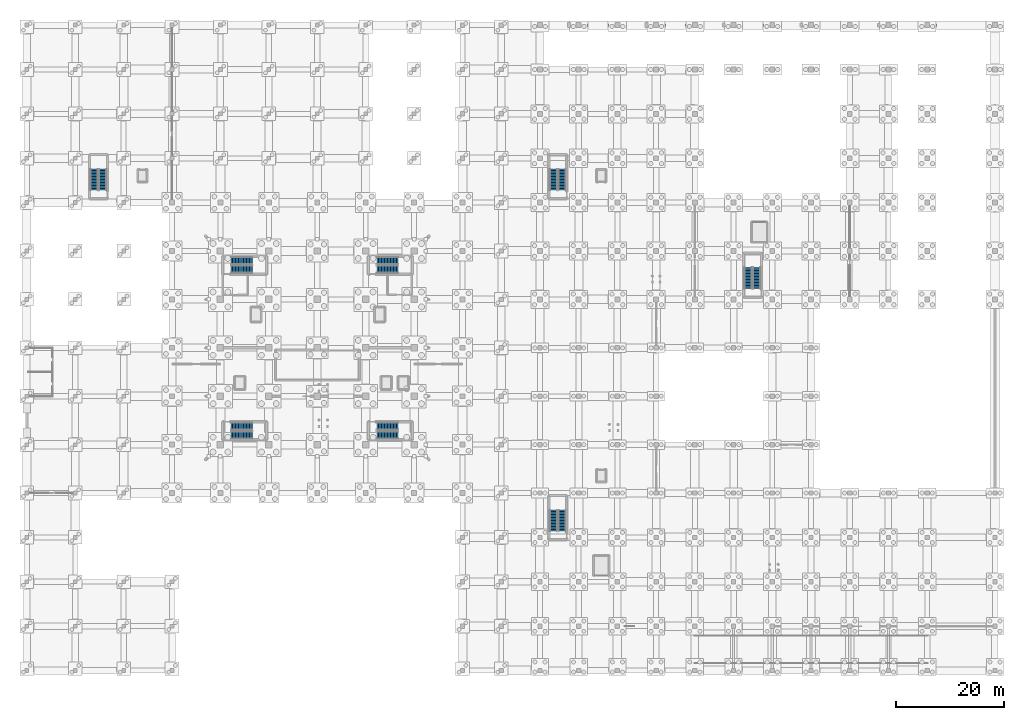
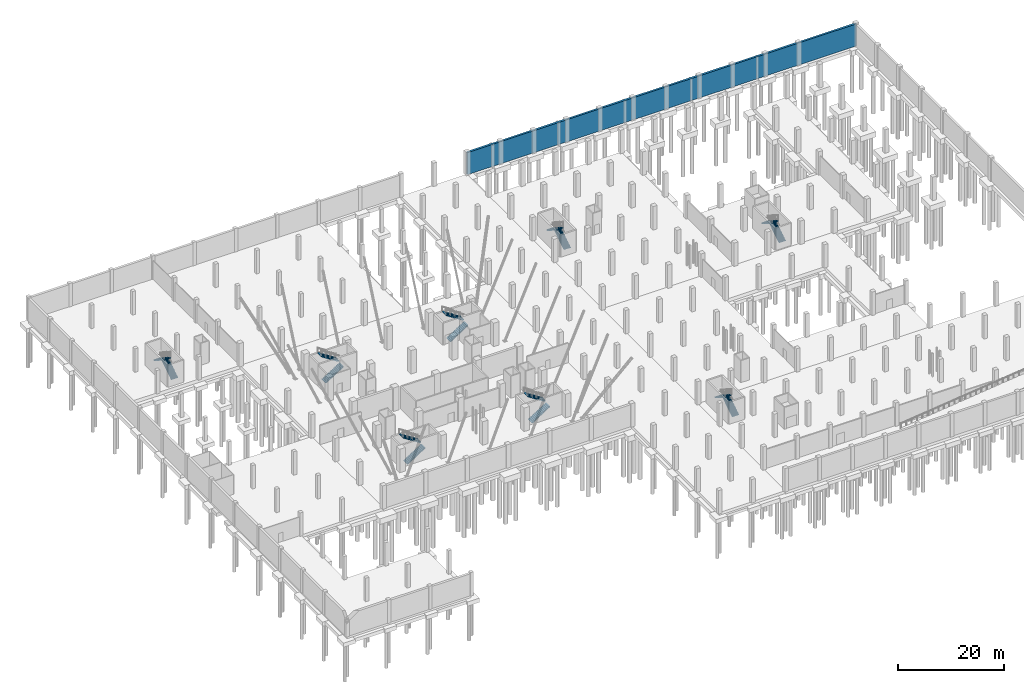
# One storey, part 33 of 42: 16 stair flights, 1 wall, 8 elements without a shape of their own.
"""IFC4 building model written with IfcOpenShell, lengths in metres."""

from ifc_helpers import new_model, si_unit, direction, frame, frame_2d, origin, place, context, subcontext, project, spatial, polyline, rectangle, outline, extrude, material, layer, layer_set, type_object, element, aggregate, save


model = new_model("IFC4")

# Units and contexts
model_context = context("Model", 3, precision=1e-05, world=origin(), true_north=direction((0.0, 1.0)))
body_context = subcontext(model_context, "Body", "Model", "MODEL_VIEW")
ifc_project = project(units=[si_unit("LENGTHUNIT", "METRE"), si_unit("AREAUNIT", "SQUARE_METRE"), si_unit("VOLUMEUNIT", "CUBIC_METRE"), si_unit("PLANEANGLEUNIT", "RADIAN"), si_unit("MASSUNIT", "GRAM", prefix="KILO")], contexts=[model_context])

# Site, building, storey
site_placement = place(None, origin())
site = spatial("IfcSite", under=ifc_project, at=site_placement, CompositionType="ELEMENT")
building_placement = place(site_placement, origin())
building = spatial("IfcBuilding", under=site, at=building_placement, Name="Sundgate Opera House", CompositionType="ELEMENT")
storey_placement = place(building_placement, frame((0.0, 0.0, -5.39990234375)))
storey = spatial("IfcBuildingStorey", under=building, at=storey_placement, Name="B01", CompositionType="ELEMENT", Elevation=-5.39990234375)

# Wall
ifc_material_1 = material(Name="Concrete C35/45", Category="concrete")
ifc_layer = layer(ifc_material_1, 0.449951171875)
ifc_layer_set = layer_set([ifc_layer], Name="Concrete C35/45")
wall_type = type_object("IfcWallType", Name="WL-RET-450", PredefinedType="USERDEFINED", material=ifc_layer_set)
wall_placement = place(storey_placement, frame((95.39990234375, 120.0, 0.0), z_axis=(0.0, 0.0, 1.0), x_axis=(1.0, 0.0, 0.0)))
element("IfcWall", 1, at=wall_placement, inside=storey, type_object=wall_type, Name="B01 Perimeter Retaining Wall W0004", ObjectType="RETAINING WALL", PredefinedType="USERDEFINED", context=body_context, shape_type="SweptSolid", body=[
    extrude(rectangle(XDim=84.60009765625, YDim=0.449951171875, at=frame_2d((42.300048828125, 0.0))), origin(), (0.0, 0.0, 1.0), 5.079833984375),
])

# Stair, stair flights
ifc_material_2 = material(Name="Concrete C35/45", Category="concrete")
stair_type = type_object("IfcStairType", Name="ST-HT-30R-1450", PredefinedType="HALF_TURN_STAIR", material=ifc_material_2)
stair_1_placement = place(storey_placement, origin())
stair_1 = element("IfcStair", 2, at=stair_1_placement, inside=storey, type_object=stair_type, Name="B01 Escape Stair ST-01", PredefinedType="HALF_TURN_STAIR")
ifc_material_3 = material(Name="Concrete C35/45", Category="concrete")
stair_flight_type = type_object("IfcStairFlightType", Name="SF-STR-15R-1450", PredefinedType="STRAIGHT", material=ifc_material_3)
stair_flight_1_placement = place(storey_placement, frame((38.0, 43.77490234375, 0.0), z_axis=(0.0, 0.0, 1.0), x_axis=(1.0, 0.0, 0.0)))
stair_flight_1 = element("IfcStairFlight", 3, at=stair_flight_1_placement, type_object=stair_flight_type, Name="ST01B01 Flight 1", NumberOfRisers=15, NumberOfTreads=14, PredefinedType="STRAIGHT", RiserHeight=0.18, TreadLength=0.28, context=body_context, shape_type="SweptSolid", body=[
    extrude(outline(polyline([(0.0, 0.0), (0.0, 0.179931640625), (0.280029296875, 0.179931640625), (0.280029296875, 0.360107421875), (0.56005859375, 0.360107421875), (0.56005859375, 0.5400390625), (0.840087890625, 0.5400390625), (0.840087890625, 0.719970703125), (1.1201171875, 0.719970703125), (1.1201171875, 0.89990234375), (1.39990234375, 0.89990234375), (1.39990234375, 1.080078125), (1.679931640625, 1.080078125), (1.679931640625, 1.260009765625), (1.9599609375, 1.260009765625), (1.9599609375, 1.43994140625), (2.239990234375, 1.43994140625), (2.239990234375, 1.6201171875), (2.52001953125, 1.6201171875), (2.52001953125, 1.800048828125), (2.800048828125, 1.800048828125), (2.800048828125, 1.97998046875), (3.080078125, 1.97998046875), (3.080078125, 2.159912109375), (3.360107421875, 2.159912109375), (3.360107421875, 2.340087890625), (3.639892578125, 2.340087890625), (3.639892578125, 2.52001953125), (3.919921875, 2.52001953125), (3.919921875, 2.699951171875), (3.919921875, 2.341796875), (0.277099609375, 0.0), (0.0, 0.0)])), frame((0.0, 0.72509765625, 0.0), z_axis=(0.0, -1.0, 0.0), x_axis=(1.0, 0.0, 0.0)), (0.0, 0.0, 1.0), 1.449951171875),
])
stair_flight_2_placement = place(storey_placement, frame((41.919921875, 45.375, 2.699951171875), z_axis=(0.0, 0.0, 1.0), x_axis=(-1.0, 0.0, 0.0)))
stair_flight_2 = element("IfcStairFlight", 4, at=stair_flight_2_placement, type_object=stair_flight_type, Name="ST01B01 Flight 2", NumberOfRisers=15, NumberOfTreads=14, PredefinedType="STRAIGHT", RiserHeight=0.18, TreadLength=0.28, context=body_context, shape_type="SweptSolid", body=[
    extrude(outline(polyline([(0.0, 0.0), (0.0, 0.179931640625), (0.280029296875, 0.179931640625), (0.280029296875, 0.360107421875), (0.56005859375, 0.360107421875), (0.56005859375, 0.5400390625), (0.840087890625, 0.5400390625), (0.840087890625, 0.719970703125), (1.1201171875, 0.719970703125), (1.1201171875, 0.89990234375), (1.39990234375, 0.89990234375), (1.39990234375, 1.080078125), (1.679931640625, 1.080078125), (1.679931640625, 1.260009765625), (1.9599609375, 1.260009765625), (1.9599609375, 1.43994140625), (2.239990234375, 1.43994140625), (2.239990234375, 1.6201171875), (2.52001953125, 1.6201171875), (2.52001953125, 1.800048828125), (2.800048828125, 1.800048828125), (2.800048828125, 1.97998046875), (3.080078125, 1.97998046875), (3.080078125, 2.159912109375), (3.360107421875, 2.159912109375), (3.360107421875, 2.340087890625), (3.639892578125, 2.340087890625), (3.639892578125, 2.52001953125), (3.919921875, 2.52001953125), (3.919921875, 2.699951171875), (3.919921875, 2.341796875), (0.277099609375, 0.0), (0.0, 0.0)])), frame((0.0, 0.72509765625, 0.0), z_axis=(0.0, -1.0, 0.0), x_axis=(1.0, 0.0, 0.0)), (0.0, 0.0, 1.0), 1.449951171875),
])
aggregate(stair_1, [stair_flight_1, stair_flight_2])

stair_2_placement = place(storey_placement, origin())
stair_2 = element("IfcStair", 5, at=stair_2_placement, inside=storey, type_object=stair_type, Name="B01 Escape Stair ST-02", PredefinedType="HALF_TURN_STAIR")
stair_flight_3_placement = place(storey_placement, frame((38.0, 74.574951171875, 0.0), z_axis=(0.0, 0.0, 1.0), x_axis=(1.0, 0.0, 0.0)))
stair_flight_3 = element("IfcStairFlight", 6, at=stair_flight_3_placement, type_object=stair_flight_type, Name="ST02B01 Flight 1", NumberOfRisers=15, NumberOfTreads=14, PredefinedType="STRAIGHT", RiserHeight=0.18, TreadLength=0.28, context=body_context, shape_type="SweptSolid", body=[
    extrude(outline(polyline([(0.0, 0.0), (0.0, 0.179931640625), (0.280029296875, 0.179931640625), (0.280029296875, 0.360107421875), (0.56005859375, 0.360107421875), (0.56005859375, 0.5400390625), (0.840087890625, 0.5400390625), (0.840087890625, 0.719970703125), (1.1201171875, 0.719970703125), (1.1201171875, 0.89990234375), (1.39990234375, 0.89990234375), (1.39990234375, 1.080078125), (1.679931640625, 1.080078125), (1.679931640625, 1.260009765625), (1.9599609375, 1.260009765625), (1.9599609375, 1.43994140625), (2.239990234375, 1.43994140625), (2.239990234375, 1.6201171875), (2.52001953125, 1.6201171875), (2.52001953125, 1.800048828125), (2.800048828125, 1.800048828125), (2.800048828125, 1.97998046875), (3.080078125, 1.97998046875), (3.080078125, 2.159912109375), (3.360107421875, 2.159912109375), (3.360107421875, 2.340087890625), (3.639892578125, 2.340087890625), (3.639892578125, 2.52001953125), (3.919921875, 2.52001953125), (3.919921875, 2.699951171875), (3.919921875, 2.341796875), (0.277099609375, 0.0), (0.0, 0.0)])), frame((0.0, 0.72509765625, 0.0), z_axis=(0.0, -1.0, 0.0), x_axis=(1.0, 0.0, 0.0)), (0.0, 0.0, 1.0), 1.449951171875),
])
stair_flight_4_placement = place(storey_placement, frame((41.919921875, 76.175048828125, 2.699951171875), z_axis=(0.0, 0.0, 1.0), x_axis=(-1.0, 0.0, 0.0)))
stair_flight_4 = element("IfcStairFlight", 7, at=stair_flight_4_placement, type_object=stair_flight_type, Name="ST02B01 Flight 2", NumberOfRisers=15, NumberOfTreads=14, PredefinedType="STRAIGHT", RiserHeight=0.18, TreadLength=0.28, context=body_context, shape_type="SweptSolid", body=[
    extrude(outline(polyline([(0.0, 0.0), (0.0, 0.179931640625), (0.280029296875, 0.179931640625), (0.280029296875, 0.360107421875), (0.56005859375, 0.360107421875), (0.56005859375, 0.5400390625), (0.840087890625, 0.5400390625), (0.840087890625, 0.719970703125), (1.1201171875, 0.719970703125), (1.1201171875, 0.89990234375), (1.39990234375, 0.89990234375), (1.39990234375, 1.080078125), (1.679931640625, 1.080078125), (1.679931640625, 1.260009765625), (1.9599609375, 1.260009765625), (1.9599609375, 1.43994140625), (2.239990234375, 1.43994140625), (2.239990234375, 1.6201171875), (2.52001953125, 1.6201171875), (2.52001953125, 1.800048828125), (2.800048828125, 1.800048828125), (2.800048828125, 1.97998046875), (3.080078125, 1.97998046875), (3.080078125, 2.159912109375), (3.360107421875, 2.159912109375), (3.360107421875, 2.340087890625), (3.639892578125, 2.340087890625), (3.639892578125, 2.52001953125), (3.919921875, 2.52001953125), (3.919921875, 2.699951171875), (3.919921875, 2.341796875), (0.277099609375, 0.0), (0.0, 0.0)])), frame((0.0, 0.72509765625, 0.0), z_axis=(0.0, -1.0, 0.0), x_axis=(1.0, 0.0, 0.0)), (0.0, 0.0, 1.0), 1.449951171875),
])
aggregate(stair_2, [stair_flight_3, stair_flight_4])

stair_3_placement = place(storey_placement, origin())
stair_3 = element("IfcStair", 8, at=stair_3_placement, inside=storey, type_object=stair_type, Name="B01 Escape Stair ST-03", PredefinedType="HALF_TURN_STAIR")
stair_flight_5_placement = place(storey_placement, frame((65.10009765625, 43.77490234375, 0.0), z_axis=(0.0, 0.0, 1.0), x_axis=(1.0, 0.0, 0.0)))
stair_flight_5 = element("IfcStairFlight", 9, at=stair_flight_5_placement, type_object=stair_flight_type, Name="ST03B01 Flight 1", NumberOfRisers=15, NumberOfTreads=14, PredefinedType="STRAIGHT", RiserHeight=0.18, TreadLength=0.28, context=body_context, shape_type="SweptSolid", body=[
    extrude(outline(polyline([(0.0, 0.0), (0.0, 0.179931640625), (0.280029296875, 0.179931640625), (0.280029296875, 0.360107421875), (0.56005859375, 0.360107421875), (0.56005859375, 0.5400390625), (0.840087890625, 0.5400390625), (0.840087890625, 0.719970703125), (1.1201171875, 0.719970703125), (1.1201171875, 0.89990234375), (1.39990234375, 0.89990234375), (1.39990234375, 1.080078125), (1.679931640625, 1.080078125), (1.679931640625, 1.260009765625), (1.9599609375, 1.260009765625), (1.9599609375, 1.43994140625), (2.239990234375, 1.43994140625), (2.239990234375, 1.6201171875), (2.52001953125, 1.6201171875), (2.52001953125, 1.800048828125), (2.800048828125, 1.800048828125), (2.800048828125, 1.97998046875), (3.080078125, 1.97998046875), (3.080078125, 2.159912109375), (3.360107421875, 2.159912109375), (3.360107421875, 2.340087890625), (3.639892578125, 2.340087890625), (3.639892578125, 2.52001953125), (3.919921875, 2.52001953125), (3.919921875, 2.699951171875), (3.919921875, 2.341796875), (0.277099609375, 0.0), (0.0, 0.0)])), frame((0.0, 0.72509765625, 0.0), z_axis=(0.0, -1.0, 0.0), x_axis=(1.0, 0.0, 0.0)), (0.0, 0.0, 1.0), 1.449951171875),
])
stair_flight_6_placement = place(storey_placement, frame((69.02001953125, 45.375, 2.699951171875), z_axis=(0.0, 0.0, 1.0), x_axis=(-1.0, 0.0, 0.0)))
stair_flight_6 = element("IfcStairFlight", 10, at=stair_flight_6_placement, type_object=stair_flight_type, Name="ST03B01 Flight 2", NumberOfRisers=15, NumberOfTreads=14, PredefinedType="STRAIGHT", RiserHeight=0.18, TreadLength=0.28, context=body_context, shape_type="SweptSolid", body=[
    extrude(outline(polyline([(0.0, 0.0), (0.0, 0.179931640625), (0.280029296875, 0.179931640625), (0.280029296875, 0.360107421875), (0.56005859375, 0.360107421875), (0.56005859375, 0.5400390625), (0.840087890625, 0.5400390625), (0.840087890625, 0.719970703125), (1.1201171875, 0.719970703125), (1.1201171875, 0.89990234375), (1.39990234375, 0.89990234375), (1.39990234375, 1.080078125), (1.679931640625, 1.080078125), (1.679931640625, 1.260009765625), (1.9599609375, 1.260009765625), (1.9599609375, 1.43994140625), (2.239990234375, 1.43994140625), (2.239990234375, 1.6201171875), (2.52001953125, 1.6201171875), (2.52001953125, 1.800048828125), (2.800048828125, 1.800048828125), (2.800048828125, 1.97998046875), (3.080078125, 1.97998046875), (3.080078125, 2.159912109375), (3.360107421875, 2.159912109375), (3.360107421875, 2.340087890625), (3.639892578125, 2.340087890625), (3.639892578125, 2.52001953125), (3.919921875, 2.52001953125), (3.919921875, 2.699951171875), (3.919921875, 2.341796875), (0.277099609375, 0.0), (0.0, 0.0)])), frame((0.0, 0.72509765625, 0.0), z_axis=(0.0, -1.0, 0.0), x_axis=(1.0, 0.0, 0.0)), (0.0, 0.0, 1.0), 1.449951171875),
])
aggregate(stair_3, [stair_flight_5, stair_flight_6])

stair_4_placement = place(storey_placement, origin())
stair_4 = element("IfcStair", 11, at=stair_4_placement, inside=storey, type_object=stair_type, Name="B01 Escape Stair ST-04", PredefinedType="HALF_TURN_STAIR")
stair_flight_7_placement = place(storey_placement, frame((65.10009765625, 74.574951171875, 0.0), z_axis=(0.0, 0.0, 1.0), x_axis=(1.0, 0.0, 0.0)))
stair_flight_7 = element("IfcStairFlight", 12, at=stair_flight_7_placement, type_object=stair_flight_type, Name="ST04B01 Flight 1", NumberOfRisers=15, NumberOfTreads=14, PredefinedType="STRAIGHT", RiserHeight=0.18, TreadLength=0.28, context=body_context, shape_type="SweptSolid", body=[
    extrude(outline(polyline([(0.0, 0.0), (0.0, 0.179931640625), (0.280029296875, 0.179931640625), (0.280029296875, 0.360107421875), (0.56005859375, 0.360107421875), (0.56005859375, 0.5400390625), (0.840087890625, 0.5400390625), (0.840087890625, 0.719970703125), (1.1201171875, 0.719970703125), (1.1201171875, 0.89990234375), (1.39990234375, 0.89990234375), (1.39990234375, 1.080078125), (1.679931640625, 1.080078125), (1.679931640625, 1.260009765625), (1.9599609375, 1.260009765625), (1.9599609375, 1.43994140625), (2.239990234375, 1.43994140625), (2.239990234375, 1.6201171875), (2.52001953125, 1.6201171875), (2.52001953125, 1.800048828125), (2.800048828125, 1.800048828125), (2.800048828125, 1.97998046875), (3.080078125, 1.97998046875), (3.080078125, 2.159912109375), (3.360107421875, 2.159912109375), (3.360107421875, 2.340087890625), (3.639892578125, 2.340087890625), (3.639892578125, 2.52001953125), (3.919921875, 2.52001953125), (3.919921875, 2.699951171875), (3.919921875, 2.341796875), (0.277099609375, 0.0), (0.0, 0.0)])), frame((0.0, 0.72509765625, 0.0), z_axis=(0.0, -1.0, 0.0), x_axis=(1.0, 0.0, 0.0)), (0.0, 0.0, 1.0), 1.449951171875),
])
stair_flight_8_placement = place(storey_placement, frame((69.02001953125, 76.175048828125, 2.699951171875), z_axis=(0.0, 0.0, 1.0), x_axis=(-1.0, 0.0, 0.0)))
stair_flight_8 = element("IfcStairFlight", 13, at=stair_flight_8_placement, type_object=stair_flight_type, Name="ST04B01 Flight 2", NumberOfRisers=15, NumberOfTreads=14, PredefinedType="STRAIGHT", RiserHeight=0.18, TreadLength=0.28, context=body_context, shape_type="SweptSolid", body=[
    extrude(outline(polyline([(0.0, 0.0), (0.0, 0.179931640625), (0.280029296875, 0.179931640625), (0.280029296875, 0.360107421875), (0.56005859375, 0.360107421875), (0.56005859375, 0.5400390625), (0.840087890625, 0.5400390625), (0.840087890625, 0.719970703125), (1.1201171875, 0.719970703125), (1.1201171875, 0.89990234375), (1.39990234375, 0.89990234375), (1.39990234375, 1.080078125), (1.679931640625, 1.080078125), (1.679931640625, 1.260009765625), (1.9599609375, 1.260009765625), (1.9599609375, 1.43994140625), (2.239990234375, 1.43994140625), (2.239990234375, 1.6201171875), (2.52001953125, 1.6201171875), (2.52001953125, 1.800048828125), (2.800048828125, 1.800048828125), (2.800048828125, 1.97998046875), (3.080078125, 1.97998046875), (3.080078125, 2.159912109375), (3.360107421875, 2.159912109375), (3.360107421875, 2.340087890625), (3.639892578125, 2.340087890625), (3.639892578125, 2.52001953125), (3.919921875, 2.52001953125), (3.919921875, 2.699951171875), (3.919921875, 2.341796875), (0.277099609375, 0.0), (0.0, 0.0)])), frame((0.0, 0.72509765625, 0.0), z_axis=(0.0, -1.0, 0.0), x_axis=(1.0, 0.0, 0.0)), (0.0, 0.0, 1.0), 1.449951171875),
])
aggregate(stair_4, [stair_flight_7, stair_flight_8])

stair_5_placement = place(storey_placement, origin())
stair_5 = element("IfcStair", 14, at=stair_5_placement, inside=storey, type_object=stair_type, Name="B01 Escape Stair ST-05", PredefinedType="HALF_TURN_STAIR")
stair_flight_9_placement = place(storey_placement, frame((99.52490234375, 89.300048828125, 0.0), z_axis=(0.0, 0.0, 1.0), x_axis=(0.0, 1.0, 0.0)))
stair_flight_9 = element("IfcStairFlight", 15, at=stair_flight_9_placement, type_object=stair_flight_type, Name="ST05B01 Flight 1", NumberOfRisers=15, NumberOfTreads=14, PredefinedType="STRAIGHT", RiserHeight=0.18, TreadLength=0.28, context=body_context, shape_type="SweptSolid", body=[
    extrude(outline(polyline([(0.0, 0.0), (0.0, 0.179931640625), (0.280029296875, 0.179931640625), (0.280029296875, 0.360107421875), (0.56005859375, 0.360107421875), (0.56005859375, 0.5400390625), (0.840087890625, 0.5400390625), (0.840087890625, 0.719970703125), (1.1201171875, 0.719970703125), (1.1201171875, 0.89990234375), (1.39990234375, 0.89990234375), (1.39990234375, 1.080078125), (1.679931640625, 1.080078125), (1.679931640625, 1.260009765625), (1.9599609375, 1.260009765625), (1.9599609375, 1.43994140625), (2.239990234375, 1.43994140625), (2.239990234375, 1.6201171875), (2.52001953125, 1.6201171875), (2.52001953125, 1.800048828125), (2.800048828125, 1.800048828125), (2.800048828125, 1.97998046875), (3.080078125, 1.97998046875), (3.080078125, 2.159912109375), (3.360107421875, 2.159912109375), (3.360107421875, 2.340087890625), (3.639892578125, 2.340087890625), (3.639892578125, 2.52001953125), (3.919921875, 2.52001953125), (3.919921875, 2.699951171875), (3.919921875, 2.341796875), (0.277099609375, 0.0), (0.0, 0.0)])), frame((0.0, 0.72509765625, 0.0), z_axis=(0.0, -1.0, 0.0), x_axis=(1.0, 0.0, 0.0)), (0.0, 0.0, 1.0), 1.449951171875),
])
stair_flight_10_placement = place(storey_placement, frame((97.925048828125, 93.219970703125, 2.699951171875), z_axis=(0.0, 0.0, 1.0), x_axis=(0.0, -1.0, 0.0)))
stair_flight_10 = element("IfcStairFlight", 16, at=stair_flight_10_placement, type_object=stair_flight_type, Name="ST05B01 Flight 2", NumberOfRisers=15, NumberOfTreads=14, PredefinedType="STRAIGHT", RiserHeight=0.18, TreadLength=0.28, context=body_context, shape_type="SweptSolid", body=[
    extrude(outline(polyline([(0.0, 0.0), (0.0, 0.179931640625), (0.280029296875, 0.179931640625), (0.280029296875, 0.360107421875), (0.56005859375, 0.360107421875), (0.56005859375, 0.5400390625), (0.840087890625, 0.5400390625), (0.840087890625, 0.719970703125), (1.1201171875, 0.719970703125), (1.1201171875, 0.89990234375), (1.39990234375, 0.89990234375), (1.39990234375, 1.080078125), (1.679931640625, 1.080078125), (1.679931640625, 1.260009765625), (1.9599609375, 1.260009765625), (1.9599609375, 1.43994140625), (2.239990234375, 1.43994140625), (2.239990234375, 1.6201171875), (2.52001953125, 1.6201171875), (2.52001953125, 1.800048828125), (2.800048828125, 1.800048828125), (2.800048828125, 1.97998046875), (3.080078125, 1.97998046875), (3.080078125, 2.159912109375), (3.360107421875, 2.159912109375), (3.360107421875, 2.340087890625), (3.639892578125, 2.340087890625), (3.639892578125, 2.52001953125), (3.919921875, 2.52001953125), (3.919921875, 2.699951171875), (3.919921875, 2.341796875), (0.277099609375, 0.0), (0.0, 0.0)])), frame((0.0, 0.72509765625, 0.0), z_axis=(0.0, -1.0, 0.0), x_axis=(1.0, 0.0, 0.0)), (0.0, 0.0, 1.0), 1.449951171875),
])
aggregate(stair_5, [stair_flight_9, stair_flight_10])

stair_6_placement = place(storey_placement, origin())
stair_6 = element("IfcStair", 17, at=stair_6_placement, inside=storey, type_object=stair_type, Name="B01 Escape Stair ST-06", PredefinedType="HALF_TURN_STAIR")
stair_flight_11_placement = place(storey_placement, frame((135.72509765625, 71.0, 0.0), z_axis=(0.0, 0.0, 1.0), x_axis=(0.0, 1.0, 0.0)))
stair_flight_11 = element("IfcStairFlight", 18, at=stair_flight_11_placement, type_object=stair_flight_type, Name="ST06B01 Flight 1", NumberOfRisers=15, NumberOfTreads=14, PredefinedType="STRAIGHT", RiserHeight=0.18, TreadLength=0.28, context=body_context, shape_type="SweptSolid", body=[
    extrude(outline(polyline([(0.0, 0.0), (0.0, 0.179931640625), (0.280029296875, 0.179931640625), (0.280029296875, 0.360107421875), (0.56005859375, 0.360107421875), (0.56005859375, 0.5400390625), (0.840087890625, 0.5400390625), (0.840087890625, 0.719970703125), (1.1201171875, 0.719970703125), (1.1201171875, 0.89990234375), (1.39990234375, 0.89990234375), (1.39990234375, 1.080078125), (1.679931640625, 1.080078125), (1.679931640625, 1.260009765625), (1.9599609375, 1.260009765625), (1.9599609375, 1.43994140625), (2.239990234375, 1.43994140625), (2.239990234375, 1.6201171875), (2.52001953125, 1.6201171875), (2.52001953125, 1.800048828125), (2.800048828125, 1.800048828125), (2.800048828125, 1.97998046875), (3.080078125, 1.97998046875), (3.080078125, 2.159912109375), (3.360107421875, 2.159912109375), (3.360107421875, 2.340087890625), (3.639892578125, 2.340087890625), (3.639892578125, 2.52001953125), (3.919921875, 2.52001953125), (3.919921875, 2.699951171875), (3.919921875, 2.341796875), (0.277099609375, 0.0), (0.0, 0.0)])), frame((0.0, 0.72509765625, 0.0), z_axis=(0.0, -1.0, 0.0), x_axis=(1.0, 0.0, 0.0)), (0.0, 0.0, 1.0), 1.449951171875),
])
stair_flight_12_placement = place(storey_placement, frame((134.125, 74.919921875, 2.699951171875), z_axis=(0.0, 0.0, 1.0), x_axis=(0.0, -1.0, 0.0)))
stair_flight_12 = element("IfcStairFlight", 19, at=stair_flight_12_placement, type_object=stair_flight_type, Name="ST06B01 Flight 2", NumberOfRisers=15, NumberOfTreads=14, PredefinedType="STRAIGHT", RiserHeight=0.18, TreadLength=0.28, context=body_context, shape_type="SweptSolid", body=[
    extrude(outline(polyline([(0.0, 0.0), (0.0, 0.179931640625), (0.280029296875, 0.179931640625), (0.280029296875, 0.360107421875), (0.56005859375, 0.360107421875), (0.56005859375, 0.5400390625), (0.840087890625, 0.5400390625), (0.840087890625, 0.719970703125), (1.1201171875, 0.719970703125), (1.1201171875, 0.89990234375), (1.39990234375, 0.89990234375), (1.39990234375, 1.080078125), (1.679931640625, 1.080078125), (1.679931640625, 1.260009765625), (1.9599609375, 1.260009765625), (1.9599609375, 1.43994140625), (2.239990234375, 1.43994140625), (2.239990234375, 1.6201171875), (2.52001953125, 1.6201171875), (2.52001953125, 1.800048828125), (2.800048828125, 1.800048828125), (2.800048828125, 1.97998046875), (3.080078125, 1.97998046875), (3.080078125, 2.159912109375), (3.360107421875, 2.159912109375), (3.360107421875, 2.340087890625), (3.639892578125, 2.340087890625), (3.639892578125, 2.52001953125), (3.919921875, 2.52001953125), (3.919921875, 2.699951171875), (3.919921875, 2.341796875), (0.277099609375, 0.0), (0.0, 0.0)])), frame((0.0, 0.72509765625, 0.0), z_axis=(0.0, -1.0, 0.0), x_axis=(1.0, 0.0, 0.0)), (0.0, 0.0, 1.0), 1.449951171875),
])
aggregate(stair_6, [stair_flight_11, stair_flight_12])

stair_7_placement = place(storey_placement, origin())
stair_7 = element("IfcStair", 20, at=stair_7_placement, inside=storey, type_object=stair_type, Name="B01 Escape Stair ST-07", PredefinedType="HALF_TURN_STAIR")
stair_flight_13_placement = place(storey_placement, frame((99.52490234375, 25.89990234375, 0.0), z_axis=(0.0, 0.0, 1.0), x_axis=(0.0, 1.0, 0.0)))
stair_flight_13 = element("IfcStairFlight", 21, at=stair_flight_13_placement, type_object=stair_flight_type, Name="ST07B01 Flight 1", NumberOfRisers=15, NumberOfTreads=14, PredefinedType="STRAIGHT", RiserHeight=0.18, TreadLength=0.28, context=body_context, shape_type="SweptSolid", body=[
    extrude(outline(polyline([(0.0, 0.0), (0.0, 0.179931640625), (0.280029296875, 0.179931640625), (0.280029296875, 0.360107421875), (0.56005859375, 0.360107421875), (0.56005859375, 0.5400390625), (0.840087890625, 0.5400390625), (0.840087890625, 0.719970703125), (1.1201171875, 0.719970703125), (1.1201171875, 0.89990234375), (1.39990234375, 0.89990234375), (1.39990234375, 1.080078125), (1.679931640625, 1.080078125), (1.679931640625, 1.260009765625), (1.9599609375, 1.260009765625), (1.9599609375, 1.43994140625), (2.239990234375, 1.43994140625), (2.239990234375, 1.6201171875), (2.52001953125, 1.6201171875), (2.52001953125, 1.800048828125), (2.800048828125, 1.800048828125), (2.800048828125, 1.97998046875), (3.080078125, 1.97998046875), (3.080078125, 2.159912109375), (3.360107421875, 2.159912109375), (3.360107421875, 2.340087890625), (3.639892578125, 2.340087890625), (3.639892578125, 2.52001953125), (3.919921875, 2.52001953125), (3.919921875, 2.699951171875), (3.919921875, 2.341796875), (0.277099609375, 0.0), (0.0, 0.0)])), frame((0.0, 0.72509765625, 0.0), z_axis=(0.0, -1.0, 0.0), x_axis=(1.0, 0.0, 0.0)), (0.0, 0.0, 1.0), 1.449951171875),
])
stair_flight_14_placement = place(storey_placement, frame((97.925048828125, 29.820068359375, 2.699951171875), z_axis=(0.0, 0.0, 1.0), x_axis=(0.0, -1.0, 0.0)))
stair_flight_14 = element("IfcStairFlight", 22, at=stair_flight_14_placement, type_object=stair_flight_type, Name="ST07B01 Flight 2", NumberOfRisers=15, NumberOfTreads=14, PredefinedType="STRAIGHT", RiserHeight=0.18, TreadLength=0.28, context=body_context, shape_type="SweptSolid", body=[
    extrude(outline(polyline([(0.0, 0.0), (0.0, 0.179931640625), (0.280029296875, 0.179931640625), (0.280029296875, 0.360107421875), (0.56005859375, 0.360107421875), (0.56005859375, 0.5400390625), (0.840087890625, 0.5400390625), (0.840087890625, 0.719970703125), (1.1201171875, 0.719970703125), (1.1201171875, 0.89990234375), (1.39990234375, 0.89990234375), (1.39990234375, 1.080078125), (1.679931640625, 1.080078125), (1.679931640625, 1.260009765625), (1.9599609375, 1.260009765625), (1.9599609375, 1.43994140625), (2.239990234375, 1.43994140625), (2.239990234375, 1.6201171875), (2.52001953125, 1.6201171875), (2.52001953125, 1.800048828125), (2.800048828125, 1.800048828125), (2.800048828125, 1.97998046875), (3.080078125, 1.97998046875), (3.080078125, 2.159912109375), (3.360107421875, 2.159912109375), (3.360107421875, 2.340087890625), (3.639892578125, 2.340087890625), (3.639892578125, 2.52001953125), (3.919921875, 2.52001953125), (3.919921875, 2.699951171875), (3.919921875, 2.341796875), (0.277099609375, 0.0), (0.0, 0.0)])), frame((0.0, 0.72509765625, 0.0), z_axis=(0.0, -1.0, 0.0), x_axis=(1.0, 0.0, 0.0)), (0.0, 0.0, 1.0), 1.449951171875),
])
aggregate(stair_7, [stair_flight_13, stair_flight_14])

stair_8_placement = place(storey_placement, origin())
stair_8 = element("IfcStair", 23, at=stair_8_placement, inside=storey, type_object=stair_type, Name="B01 Escape Stair ST-08", PredefinedType="HALF_TURN_STAIR")
stair_flight_15_placement = place(storey_placement, frame((14.125, 89.300048828125, 0.0), z_axis=(0.0, 0.0, 1.0), x_axis=(0.0, 1.0, 0.0)))
stair_flight_15 = element("IfcStairFlight", 24, at=stair_flight_15_placement, type_object=stair_flight_type, Name="ST08B01 Flight 1", NumberOfRisers=15, NumberOfTreads=14, PredefinedType="STRAIGHT", RiserHeight=0.18, TreadLength=0.28, context=body_context, shape_type="SweptSolid", body=[
    extrude(outline(polyline([(0.0, 0.0), (0.0, 0.179931640625), (0.280029296875, 0.179931640625), (0.280029296875, 0.360107421875), (0.56005859375, 0.360107421875), (0.56005859375, 0.5400390625), (0.840087890625, 0.5400390625), (0.840087890625, 0.719970703125), (1.1201171875, 0.719970703125), (1.1201171875, 0.89990234375), (1.39990234375, 0.89990234375), (1.39990234375, 1.080078125), (1.679931640625, 1.080078125), (1.679931640625, 1.260009765625), (1.9599609375, 1.260009765625), (1.9599609375, 1.43994140625), (2.239990234375, 1.43994140625), (2.239990234375, 1.6201171875), (2.52001953125, 1.6201171875), (2.52001953125, 1.800048828125), (2.800048828125, 1.800048828125), (2.800048828125, 1.97998046875), (3.080078125, 1.97998046875), (3.080078125, 2.159912109375), (3.360107421875, 2.159912109375), (3.360107421875, 2.340087890625), (3.639892578125, 2.340087890625), (3.639892578125, 2.52001953125), (3.919921875, 2.52001953125), (3.919921875, 2.699951171875), (3.919921875, 2.341796875), (0.277099609375, 0.0), (0.0, 0.0)])), frame((0.0, 0.72509765625, 0.0), z_axis=(0.0, -1.0, 0.0), x_axis=(1.0, 0.0, 0.0)), (0.0, 0.0, 1.0), 1.449951171875),
])
stair_flight_16_placement = place(storey_placement, frame((12.52490234375, 93.219970703125, 2.699951171875), z_axis=(0.0, 0.0, 1.0), x_axis=(0.0, -1.0, 0.0)))
stair_flight_16 = element("IfcStairFlight", 25, at=stair_flight_16_placement, type_object=stair_flight_type, Name="ST08B01 Flight 2", NumberOfRisers=15, NumberOfTreads=14, PredefinedType="STRAIGHT", RiserHeight=0.18, TreadLength=0.28, context=body_context, shape_type="SweptSolid", body=[
    extrude(outline(polyline([(0.0, 0.0), (0.0, 0.179931640625), (0.280029296875, 0.179931640625), (0.280029296875, 0.360107421875), (0.56005859375, 0.360107421875), (0.56005859375, 0.5400390625), (0.840087890625, 0.5400390625), (0.840087890625, 0.719970703125), (1.1201171875, 0.719970703125), (1.1201171875, 0.89990234375), (1.39990234375, 0.89990234375), (1.39990234375, 1.080078125), (1.679931640625, 1.080078125), (1.679931640625, 1.260009765625), (1.9599609375, 1.260009765625), (1.9599609375, 1.43994140625), (2.239990234375, 1.43994140625), (2.239990234375, 1.6201171875), (2.52001953125, 1.6201171875), (2.52001953125, 1.800048828125), (2.800048828125, 1.800048828125), (2.800048828125, 1.97998046875), (3.080078125, 1.97998046875), (3.080078125, 2.159912109375), (3.360107421875, 2.159912109375), (3.360107421875, 2.340087890625), (3.639892578125, 2.340087890625), (3.639892578125, 2.52001953125), (3.919921875, 2.52001953125), (3.919921875, 2.699951171875), (3.919921875, 2.341796875), (0.277099609375, 0.0), (0.0, 0.0)])), frame((0.0, 0.72509765625, 0.0), z_axis=(0.0, -1.0, 0.0), x_axis=(1.0, 0.0, 0.0)), (0.0, 0.0, 1.0), 1.449951171875),
])
aggregate(stair_8, [stair_flight_15, stair_flight_16])

save(model, "model.ifc")
